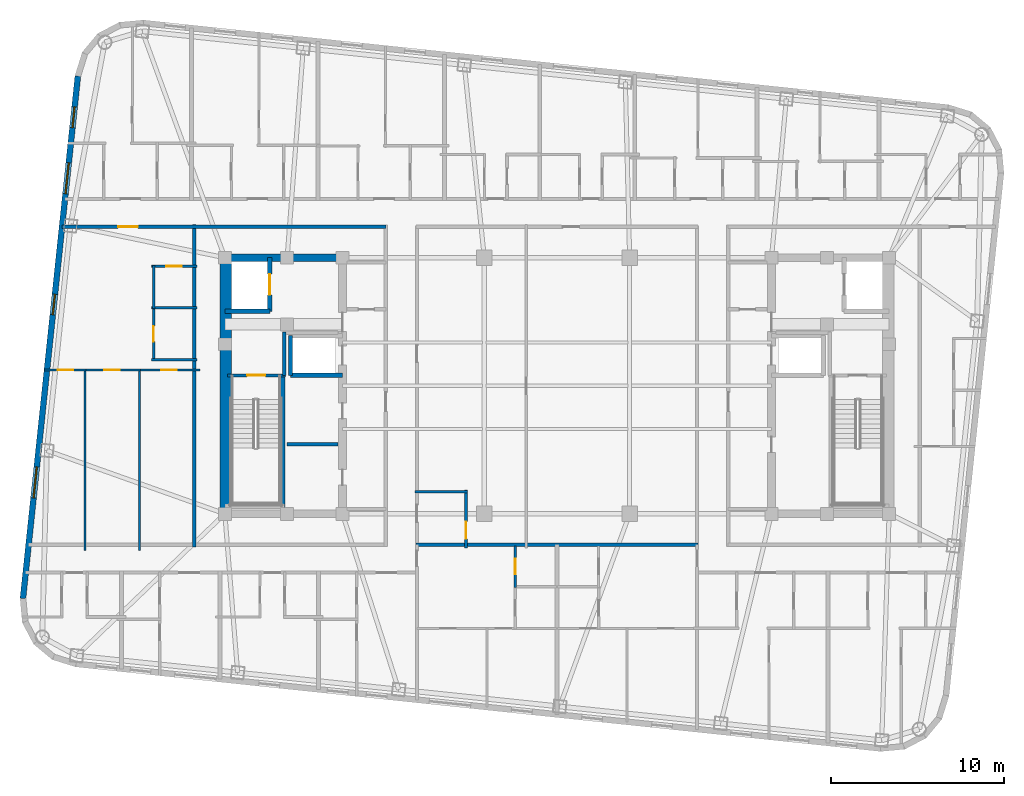
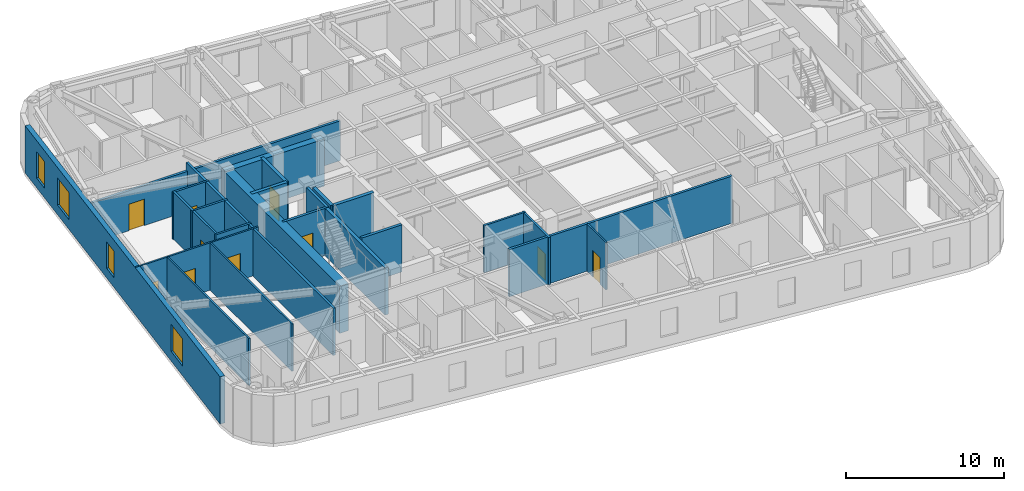
# One storey, part 4 of 11: 27 walls, 10 doors, 4 windows, 14 openings.
"""IFC4 building model written with IfcOpenShell, lengths in metres."""

from ifc_helpers import new_model, si_unit, direction, frame, frame_2d, origin, place, context, subcontext, project, spatial, rectangle, extrude, material, layer, layer_set, type_object, element, fill, save


model = new_model("IFC4")

# Units and contexts
model_context = context("Model", 3, precision=1e-05, world=origin(), true_north=direction((0.0, 1.0)))
body_context = subcontext(model_context, "Body", "Model", "MODEL_VIEW")
ifc_project = project(units=[si_unit("LENGTHUNIT", "METRE"), si_unit("AREAUNIT", "SQUARE_METRE"), si_unit("VOLUMEUNIT", "CUBIC_METRE"), si_unit("PLANEANGLEUNIT", "RADIAN"), si_unit("MASSUNIT", "GRAM", prefix="KILO")], contexts=[model_context])

# Site, building, storey
site_placement = place(None, origin())
site = spatial("IfcSite", under=ifc_project, at=site_placement, CompositionType="ELEMENT")
building_placement = place(site_placement, origin())
building = spatial("IfcBuilding", under=site, at=building_placement, Name="Voryun Gate Residences", CompositionType="ELEMENT")
storey_placement = place(building_placement, frame((0.0, 0.0, 283.39990234375)))
storey = spatial("IfcBuildingStorey", under=building, at=storey_placement, Name="L70", CompositionType="ELEMENT", Elevation=283.39990234375)

# Walls
ifc_material_1 = material(Name="Concrete C50/60", Category="concrete")
ifc_layer_1 = layer(ifc_material_1, 0.449951171875, Name="CW_CORE_450")
ifc_layer_set_1 = layer_set([ifc_layer_1], Name="Concrete C50/60")
wall_type_1 = type_object("IfcWallType", Name="CW_CORE_450", PredefinedType="SHEAR", material=ifc_layer_set_1)
wall_1_placement = place(storey_placement, frame((-19.425048828125, 7.39990234375, 0.0), z_axis=(0.0, 0.0, 1.0), x_axis=(1.0, 0.0, 0.0)))
element("IfcWall", 1, at=wall_1_placement, inside=storey, type_object=wall_type_1, Name="L70 Core shear wall CW-L70-WN", PredefinedType="SHEAR", context=body_context, shape_type="SweptSolid", body=[
    extrude(rectangle(XDim=7.25, YDim=0.449951171875, at=frame_2d((3.625, 0.0))), origin(), (0.0, 0.0, 1.0), 3.650146484375),
])
ifc_material_2 = material(Name="Concrete C60/75", Category="concrete")
ifc_layer_2 = layer(ifc_material_2, 0.64990234375, Name="CW_CORE_650")
ifc_layer_set_2 = layer_set([ifc_layer_2], Name="Concrete C60/75")
wall_type_2 = type_object("IfcWallType", Name="CW_CORE_650", PredefinedType="SHEAR", material=ifc_layer_set_2)
wall_2_placement = place(storey_placement, frame((-19.14501953125, -7.39990234375, 0.0), z_axis=(0.0, 0.0, 1.0), x_axis=(0.0, 1.0, 0.0)))
element("IfcWall", 2, at=wall_2_placement, inside=storey, type_object=wall_type_2, Name="L70 Core shear wall CW-L70-WW", PredefinedType="SHEAR", context=body_context, shape_type="SweptSolid", body=[
    extrude(rectangle(XDim=14.7998046875, YDim=0.64990234375, at=frame_2d((7.39990234375, 0.0))), origin(), (0.0, 0.0, 1.0), 3.650146484375),
])

# Wall, opening, door
ifc_material_3 = material(Name="Gypsum acoustic fireboard")
ifc_layer_3 = layer(ifc_material_3, 0.179931640625, Name="W_CORR_RATED_180")
ifc_layer_set_3 = layer_set([ifc_layer_3], Name="Gypsum acoustic fireboard")
wall_type_3 = type_object("IfcWallType", Name="W_CORR_RATED_180", PredefinedType="PARTITIONING", material=ifc_layer_set_3)
wall_3_placement = place(storey_placement, frame((-19.06005859375, 0.60009765625, 0.0), z_axis=(0.0, 0.0, 1.0), x_axis=(1.0, 0.0, 0.0)))
wall_3 = element("IfcWall", 3, at=wall_3_placement, inside=storey, type_object=wall_type_3, Name="Partition wall WP-L70-STV-W", PredefinedType="PARTITIONING", context=body_context, shape_type="SweptSolid", body=[
    extrude(rectangle(XDim=3.360107421875, YDim=0.179931640625, at=frame_2d((1.68017578125, 0.0))), origin(), (0.0, 0.0, 1.0), 3.650146484375),
])
opening_1_placement = place(wall_3_placement, frame((1.155029296875, 0.0, 0.0)))
opening_1 = element("IfcOpeningElement", 4, at=opening_1_placement, cuts=wall_3, Name="Opening D-FD60-1", PredefinedType="OPENING", context=body_context, shape_type="SweptSolid", body=[
    extrude(rectangle(XDim=1.050048828125, YDim=2.050048828125, at=frame_2d((0.52490234375, 1.02490234375))), frame((0.0, 0.099853515625, 0.0), z_axis=(0.0, -1.0, 0.0), x_axis=(1.0, 0.0, 0.0)), (0.0, 0.0, 1.0), 0.199951171875),
])
ifc_material_4 = material(Name="Painted steel fire door", Category="steel")
door_type_1 = type_object("IfcDoorType", Name="DR_FD60_STAIR_1050", OperationType="NOTDEFINED", PredefinedType="DOOR", material=ifc_material_4)
door_1_placement = place(opening_1_placement, origin())
door_1 = element("IfcDoor", 5, at=door_1_placement, inside=storey, type_object=door_type_1, Name="Door DR-L70-ST-W", OperationType="SINGLE_SWING_LEFT", OverallHeight=2.050048828125, OverallWidth=1.050048828125, PredefinedType="DOOR", context=body_context, shape_type="SweptSolid", body=[
    extrude(rectangle(XDim=1.050048828125, YDim=2.050048828125, at=frame_2d((0.52490234375, 1.02490234375))), frame((0.0, 0.02490234375, 0.0), z_axis=(0.0, -1.0, 0.0), x_axis=(1.0, 0.0, 0.0)), (0.0, 0.0, 1.0), 0.050048828125),
])
fill(opening_1, door_1)

wall_4_placement = place(storey_placement, frame((-28.61181640625, 9.18994140625, 0.0), z_axis=(0.0, 0.0, 1.0), x_axis=(1.0, 0.0, 0.0)))
wall_4 = element("IfcWall", 6, at=wall_4_placement, inside=storey, type_object=wall_type_3, Name="Partition wall WP-L70-CWING-WN", PredefinedType="PARTITIONING", context=body_context, shape_type="SweptSolid", body=[
    extrude(rectangle(XDim=18.73193359375, YDim=0.179931640625, at=frame_2d((9.365966796875, 0.0))), origin(), (0.0, 0.0, 1.0), 3.090087890625),
])
opening_2_placement = place(wall_4_placement, frame((3.24072265625, 0.0, 0.0)))
opening_2 = element("IfcOpeningElement", 7, at=opening_2_placement, cuts=wall_4, Name="Opening D-UNIT-1", PredefinedType="OPENING", context=body_context, shape_type="SweptSolid", body=[
    extrude(rectangle(XDim=1.14990234375, YDim=2.050048828125, at=frame_2d((0.574951171875, 1.02490234375))), frame((0.0, 0.099853515625, 0.0), z_axis=(0.0, -1.0, 0.0), x_axis=(1.0, 0.0, 0.0)), (0.0, 0.0, 1.0), 0.199951171875),
])
ifc_material_5 = material(Name="Armoured timber-clad fire door", Category="wood")
door_type_2 = type_object("IfcDoorType", Name="DR_UNIT_ENTRY_1150", OperationType="NOTDEFINED", PredefinedType="DOOR", material=ifc_material_5)
door_2_placement = place(opening_2_placement, origin())
door_2 = element("IfcDoor", 8, at=door_2_placement, inside=storey, type_object=door_type_2, Name="Door DR-L70-WE1N", OperationType="SINGLE_SWING_LEFT", OverallHeight=2.050048828125, OverallWidth=1.14990234375, PredefinedType="DOOR", context=body_context, shape_type="SweptSolid", body=[
    extrude(rectangle(XDim=1.14990234375, YDim=2.050048828125, at=frame_2d((0.574951171875, 1.02490234375))), frame((0.0, 0.02490234375, 0.0), z_axis=(0.0, -1.0, 0.0), x_axis=(1.0, 0.0, 0.0)), (0.0, 0.0, 1.0), 0.050048828125),
])
fill(opening_2, door_2)

# Walls
wall_5_placement = place(storey_placement, frame((-8.14990234375, -9.18994140625, 0.0), z_axis=(0.0, 0.0, 1.0), x_axis=(1.0, 0.0, 0.0)))
element("IfcWall", 9, at=wall_5_placement, inside=storey, type_object=wall_type_3, Name="Partition wall WP-L70-Z3S", PredefinedType="PARTITIONING", context=body_context, shape_type="SweptSolid", body=[
    extrude(rectangle(XDim=16.2998046875, YDim=0.179931640625, at=frame_2d((8.14990234375, 0.0))), origin(), (0.0, 0.0, 1.0), 3.650146484375),
])
wall_6_placement = place(storey_placement, frame((-20.969970703125, -9.31005859375, 0.0), z_axis=(0.0, 0.0, 1.0), x_axis=(0.0, 1.0, 0.0)))
element("IfcWall", 10, at=wall_6_placement, inside=storey, type_object=wall_type_3, Name="Partition wall WP-L70-WCOR", PredefinedType="PARTITIONING", context=body_context, shape_type="SweptSolid", body=[
    extrude(rectangle(XDim=18.6201171875, YDim=0.179931640625, at=frame_2d((9.31005859375, 0.0))), origin(), (0.0, 0.0, 1.0), 3.650146484375),
])

# Wall, openings, windows
ifc_material_6 = material(Name="Charcoal terracotta masonry", Category="masonry")
ifc_layer_4 = layer(ifc_material_6, 0.340087890625, Name="W_EXT_TERRACOTTA_340")
ifc_layer_set_4 = layer_set([ifc_layer_4], Name="Charcoal terracotta masonry")
wall_type_4 = type_object("IfcWallType", Name="W_EXT_TERRACOTTA_340", PredefinedType="ELEMENTEDWALL", material=ifc_layer_set_4)
wall_7_placement = place(storey_placement, frame((-30.8701171875, -12.295654296875, 0.0), z_axis=(0.0, 0.0, 1.0), x_axis=(0.104533282919, 0.994521388791, 0.0)))
wall_7 = element("IfcWall", 11, at=wall_7_placement, inside=storey, type_object=wall_type_4, Name="Exterior wall WEXT-L70-06", PredefinedType="ELEMENTEDWALL", context=body_context, shape_type="SweptSolid", body=[
    extrude(rectangle(XDim=30.366455078125, YDim=0.340087890625, at=frame_2d((15.18310546875, 0.0))), origin(), (0.0, 0.0, 1.0), 3.650146484375),
])
opening_3_placement = place(wall_7_placement, frame((5.841552734375, 0.0, 0.75)))
opening_3 = element("IfcOpeningElement", 12, at=opening_3_placement, cuts=wall_7, Name="Opening WN1", PredefinedType="OPENING", context=body_context, shape_type="SweptSolid", body=[
    extrude(rectangle(XDim=1.800048828125, YDim=2.10009765625, at=frame_2d((0.89990234375, 1.050048828125))), frame((0.0, 0.179931640625, 0.0), z_axis=(0.0, -1.0, 0.0), x_axis=(1.0, 0.0, 0.0)), (0.0, 0.0, 1.0), 0.360107421875),
])
opening_4_placement = place(wall_7_placement, frame((23.52490234375, 0.0, 0.75)))
opening_4 = element("IfcOpeningElement", 13, at=opening_4_placement, cuts=wall_7, Name="Opening WN1", PredefinedType="OPENING", context=body_context, shape_type="SweptSolid", body=[
    extrude(rectangle(XDim=1.800048828125, YDim=2.10009765625, at=frame_2d((0.89990234375, 1.050048828125))), frame((0.0, 0.179931640625, 0.0), z_axis=(0.0, -1.0, 0.0), x_axis=(1.0, 0.0, 0.0)), (0.0, 0.0, 1.0), 0.360107421875),
])
opening_5_placement = place(wall_7_placement, frame((27.368408203125, 0.0, 0.75)))
opening_5 = element("IfcOpeningElement", 14, at=opening_5_placement, cuts=wall_7, Name="Opening WN6", PredefinedType="OPENING", context=body_context, shape_type="SweptSolid", body=[
    extrude(rectangle(XDim=1.199951171875, YDim=2.050048828125, at=frame_2d((0.60009765625, 1.02490234375))), frame((0.0, 0.179931640625, 0.0), z_axis=(0.0, -1.0, 0.0), x_axis=(1.0, 0.0, 0.0)), (0.0, 0.0, 1.0), 0.360107421875),
])
opening_6_placement = place(wall_7_placement, frame((16.486572265625, 0.0, 0.75)))
opening_6 = element("IfcOpeningElement", 15, at=opening_6_placement, cuts=wall_7, Name="Opening WN6", PredefinedType="OPENING", context=body_context, shape_type="SweptSolid", body=[
    extrude(rectangle(XDim=1.199951171875, YDim=2.050048828125, at=frame_2d((0.60009765625, 1.02490234375))), frame((0.0, 0.179931640625, 0.0), z_axis=(0.0, -1.0, 0.0), x_axis=(1.0, 0.0, 0.0)), (0.0, 0.0, 1.0), 0.360107421875),
])
ifc_material_7 = material(Name="Laminated low-E glass", Category="glass")
window_type_1 = type_object("IfcWindowType", Name="WN_POD_SLOT_1200", PartitioningType="SINGLE_PANEL", PredefinedType="WINDOW", material=ifc_material_7)
window_1_placement = place(opening_5_placement, origin())
window_1 = element("IfcWindow", 16, at=window_1_placement, inside=storey, type_object=window_type_1, Name="Window WN-L70-DWFIX-01", OverallHeight=2.050048828125, OverallWidth=1.199951171875, PartitioningType="SINGLE_PANEL", PredefinedType="WINDOW", context=body_context, shape_type="SweptSolid", body=[
    extrude(rectangle(XDim=1.199951171875, YDim=2.050048828125, at=frame_2d((0.60009765625, 1.02490234375))), frame((0.0, 0.030029296875, 0.0), z_axis=(0.0, -1.0, 0.0), x_axis=(1.0, 0.0, 0.0)), (0.0, 0.0, 1.0), 0.06005859375),
])
fill(opening_5, window_1)
window_2_placement = place(opening_6_placement, origin())
window_2 = element("IfcWindow", 17, at=window_2_placement, inside=storey, type_object=window_type_1, Name="Window WN-L70-DWFIX-25", OverallHeight=2.050048828125, OverallWidth=1.199951171875, PartitioningType="SINGLE_PANEL", PredefinedType="WINDOW", context=body_context, shape_type="SweptSolid", body=[
    extrude(rectangle(XDim=1.199951171875, YDim=2.050048828125, at=frame_2d((0.60009765625, 1.02490234375))), frame((0.0, 0.030029296875, 0.0), z_axis=(0.0, -1.0, 0.0), x_axis=(1.0, 0.0, 0.0)), (0.0, 0.0, 1.0), 0.06005859375),
])
fill(opening_6, window_2)
ifc_material_8 = material(Name="Laminated low-E glass", Category="glass")
window_type_2 = type_object("IfcWindowType", Name="WN_RES_PUNCH_1800", PartitioningType="SINGLE_PANEL", PredefinedType="WINDOW", material=ifc_material_8)
window_3_placement = place(opening_3_placement, origin())
window_3 = element("IfcWindow", 18, at=window_3_placement, inside=storey, type_object=window_type_2, Name="Window WN-WEXT-L70-06-01", OverallHeight=2.10009765625, OverallWidth=1.800048828125, PartitioningType="SINGLE_PANEL", PredefinedType="WINDOW", context=body_context, shape_type="SweptSolid", body=[
    extrude(rectangle(XDim=1.800048828125, YDim=2.10009765625, at=frame_2d((0.89990234375, 1.050048828125))), frame((0.0, 0.030029296875, 0.0), z_axis=(0.0, -1.0, 0.0), x_axis=(1.0, 0.0, 0.0)), (0.0, 0.0, 1.0), 0.06005859375),
])
fill(opening_3, window_3)
window_4_placement = place(opening_4_placement, origin())
window_4 = element("IfcWindow", 19, at=window_4_placement, inside=storey, type_object=window_type_2, Name="Window WN-WEXT-L70-06-02", OverallHeight=2.10009765625, OverallWidth=1.800048828125, PartitioningType="SINGLE_PANEL", PredefinedType="WINDOW", context=body_context, shape_type="SweptSolid", body=[
    extrude(rectangle(XDim=1.800048828125, YDim=2.10009765625, at=frame_2d((0.89990234375, 1.050048828125))), frame((0.0, 0.030029296875, 0.0), z_axis=(0.0, -1.0, 0.0), x_axis=(1.0, 0.0, 0.0)), (0.0, 0.0, 1.0), 0.06005859375),
])
fill(opening_4, window_4)

# Walls
ifc_material_9 = material(Name="Concrete C40/50", Category="concrete")
ifc_layer_5 = layer(ifc_material_9, 0.199951171875, Name="W_FF_LOBBY_200")
ifc_layer_set_5 = layer_set([ifc_layer_5], Name="Concrete C40/50")
wall_type_5 = type_object("IfcWallType", Name="W_FF_LOBBY_200", PredefinedType="PARTITIONING", material=ifc_layer_set_5)
wall_8_placement = place(storey_placement, frame((-15.760009765625, 0.580078125, 0.0), z_axis=(0.0, 0.0, 1.0), x_axis=(0.0, 1.0, 0.0)))
element("IfcWall", 20, at=wall_8_placement, inside=storey, type_object=wall_type_5, Name="Partition wall WP-L70-FFP0-W", PredefinedType="PARTITIONING", context=body_context, shape_type="SweptSolid", body=[
    extrude(rectangle(XDim=2.52001953125, YDim=0.199951171875, at=frame_2d((1.260009765625, 0.0))), origin(), (0.0, 0.0, 1.0), 3.650146484375),
])
wall_9_placement = place(storey_placement, frame((-15.60009765625, -3.389892578125, 0.0), z_axis=(0.0, 0.0, 1.0), x_axis=(1.0, 0.0, 0.0)))
element("IfcWall", 21, at=wall_9_placement, inside=storey, type_object=wall_type_5, Name="Partition wall WP-L70-RECEY-W", PredefinedType="PARTITIONING", context=body_context, shape_type="SweptSolid", body=[
    extrude(rectangle(XDim=2.940185546875, YDim=0.199951171875, at=frame_2d((1.47021484375, 0.0))), origin(), (0.0, 0.0, 1.0), 3.650146484375),
])
ifc_material_10 = material(Name="Concrete C50/60", Category="concrete")
ifc_layer_6 = layer(ifc_material_10, 0.25, Name="W_SHAFT_RC250")
ifc_layer_set_6 = layer_set([ifc_layer_6], Name="Concrete C50/60")
wall_type_6 = type_object("IfcWallType", Name="W_SHAFT_RC250", PredefinedType="SOLIDWALL", material=ifc_layer_set_6)
wall_10_placement = place(storey_placement, frame((-15.860107421875, -7.0849609375, 0.0), z_axis=(0.0, 0.0, 1.0), x_axis=(0.0, 1.0, 0.0)))
element("IfcWall", 22, at=wall_10_placement, inside=storey, type_object=wall_type_6, Name="L70 Stair shaft structural wall W-STR", PredefinedType="SOLIDWALL", context=body_context, shape_type="SweptSolid", body=[
    extrude(rectangle(XDim=7.68505859375, YDim=0.25, at=frame_2d((3.842529296875, 0.0))), origin(), (0.0, 0.0, 1.0), 3.650146484375),
])
wall_11_placement = place(storey_placement, frame((-19.199951171875, 4.300048828125, 0.0), z_axis=(0.0, 0.0, 1.0), x_axis=(1.0, 0.0, 0.0)))
element("IfcWall", 23, at=wall_11_placement, inside=storey, type_object=wall_type_6, Name="Lift shaft wall WSH-L70-EL-FF-W1-S", PredefinedType="SOLIDWALL", context=body_context, shape_type="SweptSolid", body=[
    extrude(rectangle(XDim=2.599853515625, YDim=0.25, at=frame_2d((1.2998046875, 0.0))), origin(), (0.0, 0.0, 1.0), 3.650146484375),
])

# Wall, opening, door
wall_12_placement = place(storey_placement, frame((-16.60009765625, 4.300048828125, 0.0), z_axis=(0.0, 0.0, 1.0), x_axis=(0.0, 1.0, 0.0)))
wall_12 = element("IfcWall", 24, at=wall_12_placement, inside=storey, type_object=wall_type_6, Name="Lift shaft wall WSH-L70-EL-FF-W1-E", PredefinedType="SOLIDWALL", context=body_context, shape_type="SweptSolid", body=[
    extrude(rectangle(XDim=3.099853515625, YDim=0.25, at=frame_2d((1.5498046875, 0.0))), origin(), (0.0, 0.0, 1.0), 3.650146484375),
])
opening_7_placement = place(wall_12_placement, frame((0.949951171875, 0.0, 0.0)))
opening_7 = element("IfcOpeningElement", 25, at=opening_7_placement, cuts=wall_12, Name="Opening LD1", PredefinedType="OPENING", context=body_context, shape_type="SweptSolid", body=[
    extrude(rectangle(XDim=1.199951171875, YDim=2.050048828125, at=frame_2d((0.60009765625, 1.02490234375))), frame((0.0, 0.135009765625, 0.0), z_axis=(0.0, -1.0, 0.0), x_axis=(1.0, 0.0, 0.0)), (0.0, 0.0, 1.0), 0.27001953125),
])
ifc_material_11 = material(Name="Anodised aluminium", Category="aluminium")
door_type_3 = type_object("IfcDoorType", Name="DR_LD_FF_1200", OperationType="NOTDEFINED", PredefinedType="DOOR", material=ifc_material_11)
door_3_placement = place(opening_7_placement, origin())
door_3 = element("IfcDoor", 26, at=door_3_placement, inside=storey, type_object=door_type_3, Name="Lift EL-FF-W1 sliding landing door L70", OperationType="SLIDING_TO_LEFT", OverallHeight=2.050048828125, OverallWidth=1.199951171875, PredefinedType="DOOR", context=body_context, shape_type="SweptSolid", body=[
    extrude(rectangle(XDim=1.199951171875, YDim=2.050048828125, at=frame_2d((0.60009765625, 1.02490234375))), frame((0.0, 0.02490234375, 0.0), z_axis=(0.0, -1.0, 0.0), x_axis=(1.0, 0.0, 0.0)), (0.0, 0.0, 1.0), 0.050048828125),
])
fill(opening_7, door_3)

# Walls
wall_13_placement = place(storey_placement, frame((-15.39990234375, 0.60009765625, 0.0), z_axis=(0.0, 0.0, 1.0), x_axis=(1.0, 0.0, 0.0)))
element("IfcWall", 27, at=wall_13_placement, inside=storey, type_object=wall_type_6, Name="Lift shaft wall WSH-L70-EL-P7-S", PredefinedType="SOLIDWALL", context=body_context, shape_type="SweptSolid", body=[
    extrude(rectangle(XDim=3.0, YDim=0.25, at=frame_2d((1.5, 0.0))), origin(), (0.0, 0.0, 1.0), 3.650146484375),
])
wall_14_placement = place(storey_placement, frame((-15.39990234375, 2.89990234375, 0.0), z_axis=(0.0, 0.0, 1.0), x_axis=(0.0, -1.0, 0.0)))
element("IfcWall", 28, at=wall_14_placement, inside=storey, type_object=wall_type_6, Name="Lift shaft wall WSH-L70-EL-P7-W", PredefinedType="SOLIDWALL", context=body_context, shape_type="SweptSolid", body=[
    extrude(rectangle(XDim=2.2998046875, YDim=0.25, at=frame_2d((1.14990234375, 0.0))), origin(), (0.0, 0.0, 1.0), 3.650146484375),
])

# Wall, opening, door
ifc_material_12 = material(Name="Gypsum acoustic partition")
ifc_layer_7 = layer(ifc_material_12, 0.125, Name="W_UNIT_PART_125")
ifc_layer_set_7 = layer_set([ifc_layer_7], Name="Gypsum acoustic partition")
wall_type_7 = type_object("IfcWallType", Name="W_UNIT_PART_125", PredefinedType="PARTITIONING", material=ifc_layer_set_7)
wall_15_placement = place(storey_placement, frame((-2.409912109375, -11.659912109375, 0.0), z_axis=(0.0, 0.0, 1.0), x_axis=(0.0, 1.0, 0.0)))
wall_15 = element("IfcWall", 29, at=wall_15_placement, inside=storey, type_object=wall_type_7, Name="Partition wall WP-L70-SC1-VK1", PredefinedType="PARTITIONING", context=body_context, shape_type="SweptSolid", body=[
    extrude(rectangle(XDim=2.409912109375, YDim=0.125, at=frame_2d((1.205078125, 0.0))), origin(), (0.0, 0.0, 1.0), 3.650146484375),
])
opening_8_placement = place(wall_15_placement, frame((0.7548828125, 0.0, 0.0)))
opening_8 = element("IfcOpeningElement", 30, at=opening_8_placement, cuts=wall_15, Name="Opening D-INT-2", PredefinedType="OPENING", context=body_context, shape_type="SweptSolid", body=[
    extrude(rectangle(XDim=0.89990234375, YDim=2.050048828125, at=frame_2d((0.449951171875, 1.02490234375))), frame((0.0, 0.072509765625, 0.0), z_axis=(0.0, -1.0, 0.0), x_axis=(1.0, 0.0, 0.0)), (0.0, 0.0, 1.0), 0.14501953125),
])
ifc_material_13 = material(Name="Architectural oak veneer")
door_type_4 = type_object("IfcDoorType", Name="DR_INT_BATH_900", OperationType="NOTDEFINED", PredefinedType="DOOR", material=ifc_material_13)
door_4_placement = place(opening_8_placement, origin())
door_4 = element("IfcDoor", 31, at=door_4_placement, inside=storey, type_object=door_type_4, Name="Door DR-L70-SC1-DK", OperationType="SINGLE_SWING_LEFT", OverallHeight=2.050048828125, OverallWidth=0.89990234375, PredefinedType="DOOR", context=body_context, shape_type="SweptSolid", body=[
    extrude(rectangle(XDim=0.89990234375, YDim=2.050048828125, at=frame_2d((0.449951171875, 1.02490234375))), frame((0.0, 0.02490234375, 0.0), z_axis=(0.0, -1.0, 0.0), x_axis=(1.0, 0.0, 0.0)), (0.0, 0.0, 1.0), 0.050048828125),
])
fill(opening_8, door_4)

wall_16_placement = place(storey_placement, frame((-29.633056640625, 0.909912109375, 0.0), z_axis=(0.0, 0.0, 1.0), x_axis=(1.0, 0.0, 0.0)))
wall_16 = element("IfcWall", 32, at=wall_16_placement, inside=storey, type_object=wall_type_7, Name="Partition wall WP-L70-W1-HZMB1", PredefinedType="PARTITIONING", context=body_context, shape_type="SweptSolid", body=[
    extrude(rectangle(XDim=2.402587890625, YDim=0.125, at=frame_2d((1.201171875, 0.0))), origin(), (0.0, 0.0, 1.0), 3.650146484375),
])
opening_9_placement = place(wall_16_placement, frame((0.760009765625, 0.0, 0.0)))
opening_9 = element("IfcOpeningElement", 33, at=opening_9_placement, cuts=wall_16, Name="Opening D-INT-2", PredefinedType="OPENING", context=body_context, shape_type="SweptSolid", body=[
    extrude(rectangle(XDim=0.89990234375, YDim=2.050048828125, at=frame_2d((0.449951171875, 1.02490234375))), frame((0.0, 0.072509765625, 0.0), z_axis=(0.0, -1.0, 0.0), x_axis=(1.0, 0.0, 0.0)), (0.0, 0.0, 1.0), 0.14501953125),
])
door_5_placement = place(opening_9_placement, origin())
door_5 = element("IfcDoor", 34, at=door_5_placement, inside=storey, type_object=door_type_4, Name="Door DR-L70-W1-DMB", OperationType="SINGLE_SWING_LEFT", OverallHeight=2.050048828125, OverallWidth=0.89990234375, PredefinedType="DOOR", context=body_context, shape_type="SweptSolid", body=[
    extrude(rectangle(XDim=0.89990234375, YDim=2.050048828125, at=frame_2d((0.449951171875, 1.02490234375))), frame((0.0, 0.02490234375, 0.0), z_axis=(0.0, -1.0, 0.0), x_axis=(1.0, 0.0, 0.0)), (0.0, 0.0, 1.0), 0.050048828125),
])
fill(opening_9, door_5)

wall_17_placement = place(storey_placement, frame((-27.35546875, 0.909912109375, 0.0), z_axis=(0.0, 0.0, 1.0), x_axis=(1.0, 0.0, 0.0)))
wall_17 = element("IfcWall", 35, at=wall_17_placement, inside=storey, type_object=wall_type_7, Name="Partition wall WP-L70-W1-HZMB2", PredefinedType="PARTITIONING", context=body_context, shape_type="SweptSolid", body=[
    extrude(rectangle(XDim=3.285888671875, YDim=0.125, at=frame_2d((1.64306640625, 0.0))), origin(), (0.0, 0.0, 1.0), 3.650146484375),
])
opening_10_placement = place(wall_17_placement, frame((1.193115234375, 0.0, 0.0)))
opening_10 = element("IfcOpeningElement", 36, at=opening_10_placement, cuts=wall_17, Name="Opening D-INT-2", PredefinedType="OPENING", context=body_context, shape_type="SweptSolid", body=[
    extrude(rectangle(XDim=0.89990234375, YDim=2.050048828125, at=frame_2d((0.449951171875, 1.02490234375))), frame((0.0, 0.072509765625, 0.0), z_axis=(0.0, -1.0, 0.0), x_axis=(1.0, 0.0, 0.0)), (0.0, 0.0, 1.0), 0.14501953125),
])
door_6_placement = place(opening_10_placement, origin())
door_6 = element("IfcDoor", 37, at=door_6_placement, inside=storey, type_object=door_type_4, Name="Door DR-L70-W1-DBD2", OperationType="SINGLE_SWING_RIGHT", OverallHeight=2.050048828125, OverallWidth=0.89990234375, PredefinedType="DOOR", context=body_context, shape_type="SweptSolid", body=[
    extrude(rectangle(XDim=0.89990234375, YDim=2.050048828125, at=frame_2d((0.449951171875, 1.02490234375))), frame((0.0, 0.02490234375, 0.0), z_axis=(0.0, -1.0, 0.0), x_axis=(1.0, 0.0, 0.0)), (0.0, 0.0, 1.0), 0.050048828125),
])
fill(opening_10, door_6)

wall_18_placement = place(storey_placement, frame((-24.194580078125, 0.909912109375, 0.0), z_axis=(0.0, 0.0, 1.0), x_axis=(1.0, 0.0, 0.0)))
wall_18 = element("IfcWall", 38, at=wall_18_placement, inside=storey, type_object=wall_type_7, Name="Partition wall WP-L70-W1-HZMB3", PredefinedType="PARTITIONING", context=body_context, shape_type="SweptSolid", body=[
    extrude(rectangle(XDim=3.544677734375, YDim=0.125, at=frame_2d((1.7724609375, 0.0))), origin(), (0.0, 0.0, 1.0), 3.650146484375),
])
opening_11_placement = place(wall_18_placement, frame((1.3134765625, 0.0, 0.0)))
opening_11 = element("IfcOpeningElement", 39, at=opening_11_placement, cuts=wall_18, Name="Opening D-INT-2", PredefinedType="OPENING", context=body_context, shape_type="SweptSolid", body=[
    extrude(rectangle(XDim=0.89990234375, YDim=2.050048828125, at=frame_2d((0.449951171875, 1.02490234375))), frame((0.0, 0.072509765625, 0.0), z_axis=(0.0, -1.0, 0.0), x_axis=(1.0, 0.0, 0.0)), (0.0, 0.0, 1.0), 0.14501953125),
])
door_7_placement = place(opening_11_placement, origin())
door_7 = element("IfcDoor", 40, at=door_7_placement, inside=storey, type_object=door_type_4, Name="Door DR-L70-W1-DBD3", OperationType="SINGLE_SWING_LEFT", OverallHeight=2.050048828125, OverallWidth=0.89990234375, PredefinedType="DOOR", context=body_context, shape_type="SweptSolid", body=[
    extrude(rectangle(XDim=0.89990234375, YDim=2.050048828125, at=frame_2d((0.449951171875, 1.02490234375))), frame((0.0, 0.02490234375, 0.0), z_axis=(0.0, -1.0, 0.0), x_axis=(1.0, 0.0, 0.0)), (0.0, 0.0, 1.0), 0.050048828125),
])
fill(opening_11, door_7)

# Walls
for number, where, z_axis, x_axis, name in (
    (41, (-24.132080078125, -9.510009765625, 0.0), (0.0, 0.0, 1.0), (0.0, 1.0, 0.0), "Partition wall WP-L70-W1-VMB2"),
    (42, (-27.29296875, -9.510009765625, 0.0), (0.0, 0.0, 1.0), (0.0, 1.0, 0.0), "Partition wall WP-L70-W1-VMB"),
):
    element("IfcWall", number, at=place(storey_placement, frame(where, z_axis=z_axis, x_axis=x_axis)), inside=storey, type_object=wall_type_7, Name=name, PredefinedType="PARTITIONING", context=body_context, shape_type="SweptSolid", body=[
        extrude(rectangle(XDim=10.47998046875, YDim=0.125, at=frame_2d((5.239990234375, 0.0))), origin(), (0.0, 0.0, 1.0), 3.650146484375),
    ])

# Wall, opening, door
ifc_material_14 = material(Name="Gypsum moisture-resistant partition")
ifc_layer_8 = layer(ifc_material_14, 0.14990234375, Name="W_WET_PLUMB_150")
ifc_layer_set_8 = layer_set([ifc_layer_8], Name="Gypsum moisture-resistant partition")
wall_type_8 = type_object("IfcWallType", Name="W_WET_PLUMB_150", PredefinedType="PLUMBINGWALL", material=ifc_layer_set_8)
wall_19_placement = place(storey_placement, frame((-5.260009765625, -9.3701171875, 0.0), z_axis=(0.0, 0.0, 1.0), x_axis=(0.0, 1.0, 0.0)))
wall_19 = element("IfcWall", 43, at=wall_19_placement, inside=storey, type_object=wall_type_8, Name="Partition wall WP-L70-CMWCX", PredefinedType="PLUMBINGWALL", context=body_context, shape_type="SweptSolid", body=[
    extrude(rectangle(XDim=3.35009765625, YDim=0.14990234375, at=frame_2d((1.675048828125, 0.0))), origin(), (0.0, 0.0, 1.0), 3.650146484375),
])
opening_12_placement = place(wall_19_placement, frame((0.514892578125, 0.0, 0.0)))
opening_12 = element("IfcOpeningElement", 44, at=opening_12_placement, cuts=wall_19, Name="Opening D-AWC-1", PredefinedType="OPENING", context=body_context, shape_type="SweptSolid", body=[
    extrude(rectangle(XDim=1.0, YDim=2.050048828125, at=frame_2d((0.5, 1.02490234375))), frame((0.0, 0.0849609375, 0.0), z_axis=(0.0, -1.0, 0.0), x_axis=(1.0, 0.0, 0.0)), (0.0, 0.0, 1.0), 0.169921875),
])
ifc_material_15 = material(Name="Architectural oak veneer")
door_type_5 = type_object("IfcDoorType", Name="DR_ACC_WC_1000", OperationType="NOTDEFINED", PredefinedType="DOOR", material=ifc_material_15)
door_8_placement = place(opening_12_placement, origin())
door_8 = element("IfcDoor", 45, at=door_8_placement, inside=storey, type_object=door_type_5, Name="Door DR-L70-CMWC", OperationType="SINGLE_SWING_LEFT", OverallHeight=2.050048828125, OverallWidth=1.0, PredefinedType="DOOR", context=body_context, shape_type="SweptSolid", body=[
    extrude(rectangle(XDim=1.0, YDim=2.050048828125, at=frame_2d((0.5, 1.02490234375))), frame((0.0, 0.02490234375, 0.0), z_axis=(0.0, -1.0, 0.0), x_axis=(1.0, 0.0, 0.0)), (0.0, 0.0, 1.0), 0.050048828125),
])
fill(opening_12, door_8)

# Wall
wall_20_placement = place(storey_placement, frame((-8.2099609375, -6.1201171875, 0.0), z_axis=(0.0, 0.0, 1.0), x_axis=(1.0, 0.0, 0.0)))
element("IfcWall", 46, at=wall_20_placement, inside=storey, type_object=wall_type_8, Name="Partition wall WP-L70-CMWCY", PredefinedType="PLUMBINGWALL", context=body_context, shape_type="SweptSolid", body=[
    extrude(rectangle(XDim=3.050048828125, YDim=0.14990234375, at=frame_2d((1.52490234375, 0.0))), origin(), (0.0, 0.0, 1.0), 3.650146484375),
])

# Wall, opening, door
wall_21_placement = place(storey_placement, frame((-23.43994140625, 6.89990234375, 0.0), z_axis=(0.0, 0.0, 1.0), x_axis=(1.0, 0.0, 0.0)))
wall_21 = element("IfcWall", 47, at=wall_21_placement, inside=storey, type_object=wall_type_8, Name="Partition wall WP-L70-W1-IBT", PredefinedType="PLUMBINGWALL", context=body_context, shape_type="SweptSolid", body=[
    extrude(rectangle(XDim=2.619873046875, YDim=0.14990234375, at=frame_2d((1.31005859375, 0.0))), origin(), (0.0, 0.0, 1.0), 3.650146484375),
])
opening_13_placement = place(wall_21_placement, frame((0.860107421875, 0.0, 0.0)))
opening_13 = element("IfcOpeningElement", 48, at=opening_13_placement, cuts=wall_21, Name="Opening D-INT-2", PredefinedType="OPENING", context=body_context, shape_type="SweptSolid", body=[
    extrude(rectangle(XDim=0.89990234375, YDim=2.050048828125, at=frame_2d((0.449951171875, 1.02490234375))), frame((0.0, 0.0849609375, 0.0), z_axis=(0.0, -1.0, 0.0), x_axis=(1.0, 0.0, 0.0)), (0.0, 0.0, 1.0), 0.169921875),
])
door_9_placement = place(opening_13_placement, origin())
door_9 = element("IfcDoor", 49, at=door_9_placement, inside=storey, type_object=door_type_4, Name="Door DR-L70-W1-DK", OperationType="SINGLE_SWING_LEFT", OverallHeight=2.050048828125, OverallWidth=0.89990234375, PredefinedType="DOOR", context=body_context, shape_type="SweptSolid", body=[
    extrude(rectangle(XDim=0.89990234375, YDim=2.050048828125, at=frame_2d((0.449951171875, 1.02490234375))), frame((0.0, 0.02490234375, 0.0), z_axis=(0.0, -1.0, 0.0), x_axis=(1.0, 0.0, 0.0)), (0.0, 0.0, 1.0), 0.050048828125),
])
fill(opening_13, door_9)

# Walls
for number, where, z_axis, x_axis, name in (
    (50, (-23.43994140625, 4.52001953125, 0.0), (0.0, 0.0, 1.0), (1.0, 0.0, 0.0), "Partition wall WP-L70-W1-IKB"),
    (51, (-23.43994140625, 1.5, 0.0), (0.0, 0.0, 1.0), (1.0, 0.0, 0.0), "Partition wall WP-L70-W1-IBB"),
):
    element("IfcWall", number, at=place(storey_placement, frame(where, z_axis=z_axis, x_axis=x_axis)), inside=storey, type_object=wall_type_8, Name=name, PredefinedType="PLUMBINGWALL", context=body_context, shape_type="SweptSolid", body=[
        extrude(rectangle(XDim=2.619873046875, YDim=0.14990234375, at=frame_2d((1.31005859375, 0.0))), origin(), (0.0, 0.0, 1.0), 3.650146484375),
    ])

# Wall, opening, door
wall_22_placement = place(storey_placement, frame((-23.320068359375, 1.43994140625, 0.0), z_axis=(0.0, 0.0, 1.0), x_axis=(0.0, 1.0, 0.0)))
wall_22 = element("IfcWall", 52, at=wall_22_placement, inside=storey, type_object=wall_type_8, Name="Partition wall WP-L70-W1-VTSK1", PredefinedType="PLUMBINGWALL", context=body_context, shape_type="SweptSolid", body=[
    extrude(rectangle(XDim=3.1201171875, YDim=0.14990234375, at=frame_2d((1.56005859375, 0.0))), origin(), (0.0, 0.0, 1.0), 3.650146484375),
])
opening_14_placement = place(wall_22_placement, frame((1.110107421875, 0.0, 0.0)))
opening_14 = element("IfcOpeningElement", 53, at=opening_14_placement, cuts=wall_22, Name="Opening D-INT-2", PredefinedType="OPENING", context=body_context, shape_type="SweptSolid", body=[
    extrude(rectangle(XDim=0.89990234375, YDim=2.050048828125, at=frame_2d((0.449951171875, 1.02490234375))), frame((0.0, 0.0849609375, 0.0), z_axis=(0.0, -1.0, 0.0), x_axis=(1.0, 0.0, 0.0)), (0.0, 0.0, 1.0), 0.169921875),
])
door_10_placement = place(opening_14_placement, origin())
door_10 = element("IfcDoor", 54, at=door_10_placement, inside=storey, type_object=door_type_4, Name="Door DR-L70-W1-DB", OperationType="SINGLE_SWING_RIGHT", OverallHeight=2.050048828125, OverallWidth=0.89990234375, PredefinedType="DOOR", context=body_context, shape_type="SweptSolid", body=[
    extrude(rectangle(XDim=0.89990234375, YDim=2.050048828125, at=frame_2d((0.449951171875, 1.02490234375))), frame((0.0, 0.02490234375, 0.0), z_axis=(0.0, -1.0, 0.0), x_axis=(1.0, 0.0, 0.0)), (0.0, 0.0, 1.0), 0.050048828125),
])
fill(opening_14, door_10)

# Wall
wall_23_placement = place(storey_placement, frame((-23.320068359375, 4.47998046875, 0.0), z_axis=(0.0, 0.0, 1.0), x_axis=(0.0, 1.0, 0.0)))
element("IfcWall", 55, at=wall_23_placement, inside=storey, type_object=wall_type_8, Name="Partition wall WP-L70-W1-VTSK2", PredefinedType="PLUMBINGWALL", context=body_context, shape_type="SweptSolid", body=[
    extrude(rectangle(XDim=2.47998046875, YDim=0.14990234375, at=frame_2d((1.239990234375, 0.0))), origin(), (0.0, 0.0, 1.0), 3.650146484375),
])

save(model, "model.ifc")
